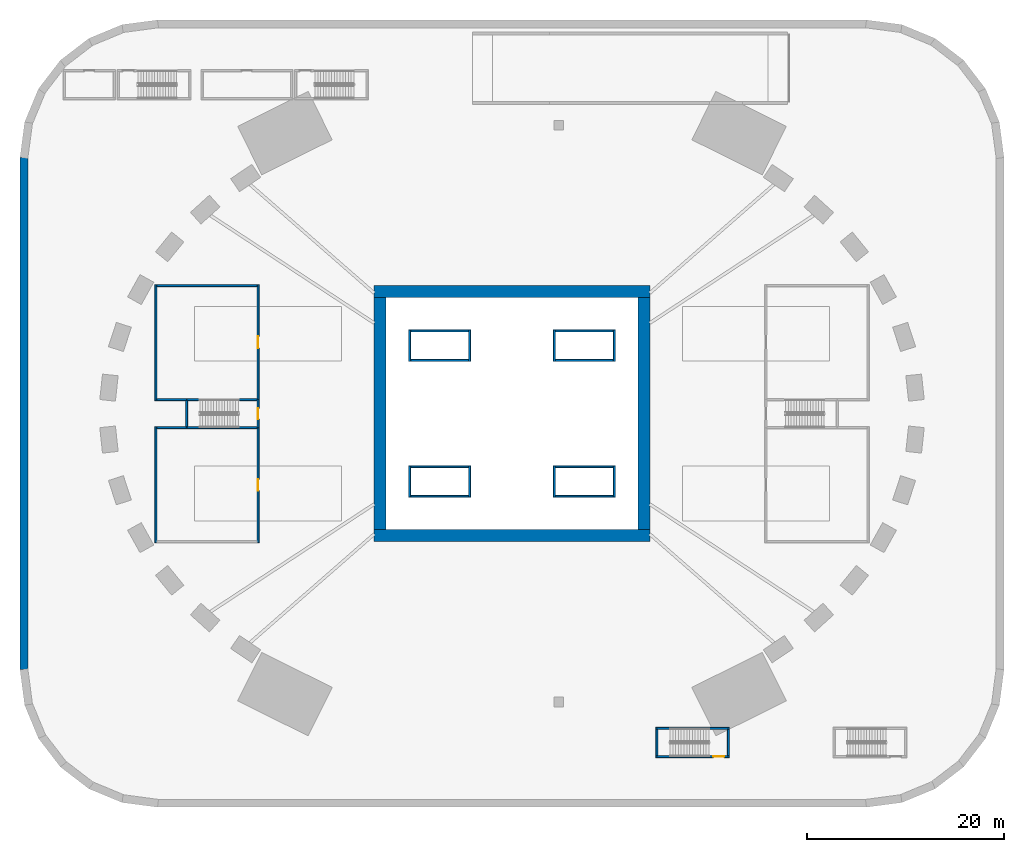
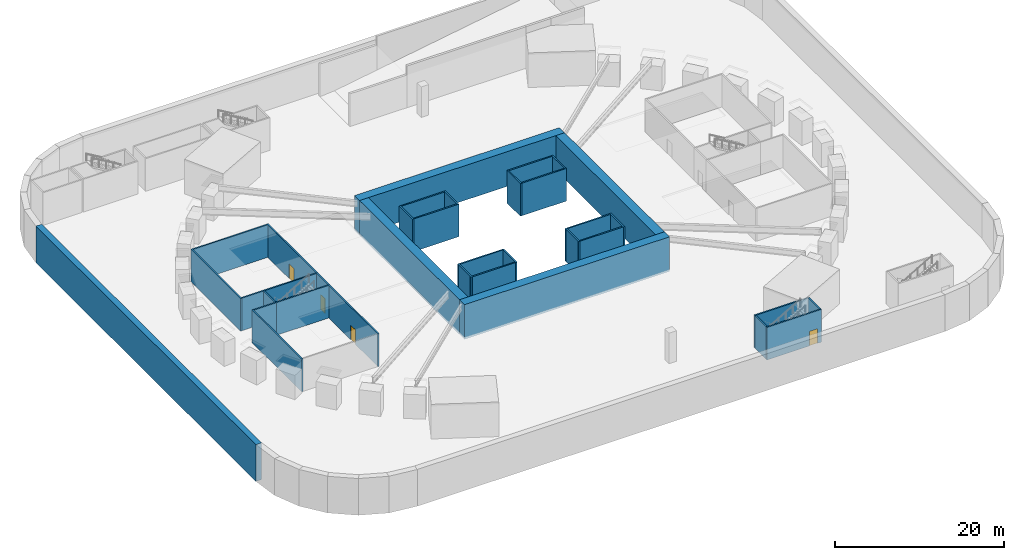
# One storey, part 2 of 10: 36 walls, 4 doors, 4 openings.
"""IFC4 building model written with IfcOpenShell, lengths in metres."""

from ifc_helpers import new_model, si_unit, direction, frame, frame_2d, origin, place, context, subcontext, project, spatial, rectangle, extrude, source, transform, mapped, material, layer, layer_set, type_object, element, fill, save


model = new_model("IFC4")

# Units and contexts
model_context = context("Model", 3, precision=1e-05, world=origin(), true_north=direction((0.0, 1.0)))
body_context = subcontext(model_context, "Body", "Model", "MODEL_VIEW")
ifc_project = project(units=[si_unit("LENGTHUNIT", "METRE"), si_unit("AREAUNIT", "SQUARE_METRE"), si_unit("VOLUMEUNIT", "CUBIC_METRE"), si_unit("PLANEANGLEUNIT", "RADIAN"), si_unit("MASSUNIT", "GRAM", prefix="KILO")], contexts=[model_context])

# Site, building, storey
site_placement = place(None, origin())
site = spatial("IfcSite", under=ifc_project, at=site_placement, CompositionType="ELEMENT")
building_placement = place(site_placement, origin())
building = spatial("IfcBuilding", under=site, at=building_placement, Name="Embergate Tower", CompositionType="ELEMENT")
storey_placement = place(building_placement, frame((0.0, 0.0, -5.0)))
storey = spatial("IfcBuildingStorey", under=building, at=storey_placement, Name="B1", CompositionType="ELEMENT", Elevation=-5.0)

# Walls
ifc_material_1 = material(Name="Concrete C40", Category="concrete")
ifc_layer_1 = layer(ifc_material_1, 0.800048828125)
ifc_layer_set_1 = layer_set([ifc_layer_1], Name="Concrete C40")
wall_type_1 = type_object("IfcWallType", Name="Basement retaining wall C40 800", PredefinedType="SOLIDWALL", material=ifc_layer_set_1)
shared_shape_1 = source(origin(), body_context, "Body", "SweptSolid", [
    extrude(rectangle(XDim=52.0517578125, YDim=0.800048828125, at=frame_2d((26.02587890625, 0.0))), origin(), (0.0, 0.0, 1.0), 5.300048828125),
])
wall_1_placement = place(storey_placement, frame((-49.60009765625, 26.02587890625, -0.300048828125), z_axis=(0.0, 0.0, 1.0), x_axis=(0.0, -1.0, 0.0)))
element("IfcWall", 1, at=wall_1_placement, inside=storey, type_object=wall_type_1, Name="RWL-B1-013", PredefinedType="SOLIDWALL", context=body_context, shape_type="MappedRepresentation", body=[
    mapped(shared_shape_1, transform((0.0, 0.0, 0.0))),
])
ifc_material_2 = material(Name="Concrete C80", Category="concrete")
ifc_layer_2 = layer(ifc_material_2, 1.199951171875)
ifc_layer_set_2 = layer_set([ifc_layer_2], Name="Concrete C80")
wall_type_2 = type_object("IfcWallType", Name="Core outer wall C80 1200", PredefinedType="SHEAR", material=ifc_layer_set_2)
shared_shape_2 = source(origin(), body_context, "Body", "SweptSolid", [
    extrude(rectangle(XDim=28.0, YDim=1.199951171875, at=frame_2d((14.0, 0.0))), origin(), (0.0, 0.0, 1.0), 5.0),
])
for number, where, z_axis, x_axis, name in (
    (2, (-14.0, 12.39990234375, -0.300048828125), (0.0, 0.0, 1.0), (1.0, 0.0, 0.0), "CW-B1-N"),
    (3, (-14.0, -12.39990234375, -0.300048828125), (0.0, 0.0, 1.0), (1.0, 0.0, 0.0), "CW-B1-S"),
):
    element("IfcWall", number, at=place(storey_placement, frame(where, z_axis=z_axis, x_axis=x_axis)), inside=storey, type_object=wall_type_2, Name=name, PredefinedType="SHEAR", context=body_context, shape_type="MappedRepresentation", body=[
        mapped(shared_shape_2, transform((0.0, 0.0, 0.0))),
    ])
shared_shape_3 = source(origin(), body_context, "Body", "SweptSolid", [
    extrude(rectangle(XDim=23.60009765625, YDim=1.199951171875, at=frame_2d((11.800048828125, 0.0))), origin(), (0.0, 0.0, 1.0), 5.0),
])
for number, where, z_axis, x_axis, name in (
    (4, (13.39990234375, -11.800048828125, -0.300048828125), (0.0, 0.0, 1.0), (0.0, 1.0, 0.0), "CW-B1-E"),
    (5, (-13.39990234375, -11.800048828125, -0.300048828125), (0.0, 0.0, 1.0), (0.0, 1.0, 0.0), "CW-B1-W"),
):
    element("IfcWall", number, at=place(storey_placement, frame(where, z_axis=z_axis, x_axis=x_axis)), inside=storey, type_object=wall_type_2, Name=name, PredefinedType="SHEAR", context=body_context, shape_type="MappedRepresentation", body=[
        mapped(shared_shape_3, transform((0.0, 0.0, 0.0))),
    ])
ifc_material_3 = material(Name="Concrete C50", Category="concrete")
ifc_layer_3 = layer(ifc_material_3, 0.199951171875)
ifc_layer_set_3 = layer_set([ifc_layer_3], Name="Concrete C50")
wall_type_3 = type_object("IfcWallType", Name="Stair enclosure wall reinforced concrete 250", PredefinedType="SHEAR", material=ifc_layer_set_3)
shared_shape_4 = source(origin(), body_context, "Body", "SweptSolid", [
    extrude(rectangle(XDim=6.300048828125, YDim=0.199951171875, at=frame_2d((3.14990234375, 0.0))), origin(), (0.0, 0.0, 1.0), 4.699951171875),
])
for number, where, z_axis, x_axis, name in (
    (6, (-4.199951171875, 5.39990234375, 0.0), (0.0, 0.0, 1.0), (-1.0, 0.0, 0.0), "SE-1 wall"),
    (7, (10.5, 5.39990234375, 0.0), (0.0, 0.0, 1.0), (-1.0, 0.0, 0.0), "SE-1 wall"),
    (8, (-10.5, -5.39990234375, 0.0), (0.0, 0.0, 1.0), (1.0, 0.0, 0.0), "SE-1 wall"),
    (9, (4.199951171875, -5.39990234375, 0.0), (0.0, 0.0, 1.0), (1.0, 0.0, 0.0), "SE-1 wall"),
    (10, (-4.199951171875, 8.39990234375, 0.0), (0.0, 0.0, 1.0), (-1.0, 0.0, 0.0), "SE-1 wall"),
    (11, (10.5, 8.39990234375, 0.0), (0.0, 0.0, 1.0), (-1.0, 0.0, 0.0), "SE-1 wall"),
    (12, (-10.5, -8.39990234375, 0.0), (0.0, 0.0, 1.0), (1.0, 0.0, 0.0), "SE-1 wall"),
    (13, (4.199951171875, -8.39990234375, 0.0), (0.0, 0.0, 1.0), (1.0, 0.0, 0.0), "SE-1 wall"),
):
    element("IfcWall", number, at=place(storey_placement, frame(where, z_axis=z_axis, x_axis=x_axis)), inside=storey, type_object=wall_type_3, Name=name, PredefinedType="SHEAR", context=body_context, shape_type="MappedRepresentation", body=[
        mapped(shared_shape_4, transform((0.0, 0.0, 0.0))),
    ])
shared_shape_5 = source(origin(), body_context, "Body", "SweptSolid", [
    extrude(rectangle(XDim=3.199951171875, YDim=0.199951171875, at=frame_2d((1.60009765625, 0.0))), origin(), (0.0, 0.0, 1.0), 4.699951171875),
])
for number, where, z_axis, x_axis, name in (
    (14, (-4.300048828125, 5.300048828125, 0.0), (0.0, 0.0, 1.0), (0.0, 1.0, 0.0), "SE-1 wall"),
    (15, (-10.39990234375, 8.5, 0.0), (0.0, 0.0, 1.0), (0.0, -1.0, 0.0), "SE-1 wall"),
    (16, (4.300048828125, 8.5, 0.0), (0.0, 0.0, 1.0), (0.0, -1.0, 0.0), "SE-1 wall"),
    (17, (10.39990234375, 5.300048828125, 0.0), (0.0, 0.0, 1.0), (0.0, 1.0, 0.0), "SE-1 wall"),
    (18, (-4.300048828125, -8.5, 0.0), (0.0, 0.0, 1.0), (0.0, 1.0, 0.0), "SE-1 wall"),
    (19, (-10.39990234375, -5.300048828125, 0.0), (0.0, 0.0, 1.0), (0.0, -1.0, 0.0), "SE-1 wall"),
    (20, (4.300048828125, -5.300048828125, 0.0), (0.0, 0.0, 1.0), (0.0, -1.0, 0.0), "SE-1 wall"),
    (21, (10.39990234375, -8.5, 0.0), (0.0, 0.0, 1.0), (0.0, 1.0, 0.0), "SE-1 wall"),
):
    element("IfcWall", number, at=place(storey_placement, frame(where, z_axis=z_axis, x_axis=x_axis)), inside=storey, type_object=wall_type_3, Name=name, PredefinedType="SHEAR", context=body_context, shape_type="MappedRepresentation", body=[
        mapped(shared_shape_5, transform((0.0, 0.0, 0.0))),
    ])
ifc_layer_4 = layer(ifc_material_1, 0.199951171875)
ifc_layer_set_4 = layer_set([ifc_layer_4], Name="Concrete C40")
wall_type_4 = type_object("IfcWallType", Name="Stair enclosure wall RC 200", PredefinedType="STANDARD", material=ifc_layer_set_4)
shared_shape_6 = source(origin(), body_context, "Body", "SweptSolid", [
    extrude(rectangle(XDim=2.64990234375, YDim=0.199951171875, at=frame_2d((1.324951171875, 0.0))), origin(), (0.0, 0.0, 1.0), 4.699951171875),
])
for number, where, z_axis, x_axis, name in (
    (22, (-33.070068359375, -1.324951171875, 0.0), (0.0, 0.0, 1.0), (0.0, 1.0, 0.0), "Stair wall 010"),
    (23, (14.72998046875, -34.75, 0.0), (0.0, 0.0, 1.0), (0.0, 1.0, 0.0), "Stair wall 029"),
    (24, (22.0, -32.10009765625, 0.0), (0.0, 0.0, 1.0), (0.0, -1.0, 0.0), "Stair wall 032"),
):
    element("IfcWall", number, at=place(storey_placement, frame(where, z_axis=z_axis, x_axis=x_axis)), inside=storey, type_object=wall_type_4, Name=name, PredefinedType="STANDARD", context=body_context, shape_type="MappedRepresentation", body=[
        mapped(shared_shape_6, transform((0.0, 0.0, 0.0))),
    ])
ifc_material_4 = material(Name="Blockwork, plastered", Category="masonry")
ifc_layer_5 = layer(ifc_material_4, 0.199951171875)
ifc_layer_set_5 = layer_set([ifc_layer_5], Name="Blockwork, plastered")
wall_type_5 = type_object("IfcWallType", Name="Fire partition wall 200 block", PredefinedType="PARTITIONING", material=ifc_layer_set_5)
shared_shape_7 = source(origin(), body_context, "Body", "SweptSolid", [
    extrude(rectangle(XDim=11.775146484375, YDim=0.199951171875, at=frame_2d((5.8876953125, 0.0))), origin(), (0.0, 0.0, 1.0), 4.699951171875),
])
for number, where, z_axis, x_axis, name in (
    (25, (-36.199951171875, -13.10009765625, 0.0), (0.0, 0.0, 1.0), (0.0, 1.0, 0.0), "Partition 006"),
    (26, (-36.199951171875, 1.324951171875, 0.0), (0.0, 0.0, 1.0), (0.0, 1.0, 0.0), "Partition 008"),
):
    element("IfcWall", number, at=place(storey_placement, frame(where, z_axis=z_axis, x_axis=x_axis)), inside=storey, type_object=wall_type_5, Name=name, PredefinedType="PARTITIONING", context=body_context, shape_type="MappedRepresentation", body=[
        mapped(shared_shape_7, transform((0.0, 0.0, 0.0))),
    ])
shared_shape_8 = source(origin(), body_context, "Body", "SweptSolid", [
    extrude(rectangle(XDim=3.030029296875, YDim=0.199951171875, at=frame_2d((1.51513671875, 0.0))), origin(), (0.0, 0.0, 1.0), 4.699951171875),
])
for number, where, z_axis, x_axis, name in (
    (27, (-36.10009765625, -1.425048828125, 0.0), (0.0, 0.0, 1.0), (1.0, 0.0, 0.0), "Partition 007"),
    (28, (-33.070068359375, 1.425048828125, 0.0), (0.0, 0.0, 1.0), (-1.0, 0.0, 0.0), "Partition 012"),
):
    element("IfcWall", number, at=place(storey_placement, frame(where, z_axis=z_axis, x_axis=x_axis)), inside=storey, type_object=wall_type_5, Name=name, PredefinedType="PARTITIONING", context=body_context, shape_type="MappedRepresentation", body=[
        mapped(shared_shape_8, transform((0.0, 0.0, 0.0))),
    ])
shared_shape_9 = source(origin(), body_context, "Body", "SweptSolid", [
    extrude(rectangle(XDim=10.2001953125, YDim=0.199951171875, at=frame_2d((5.10009765625, 0.0))), origin(), (0.0, 0.0, 1.0), 4.699951171875),
])
wall_2_placement = place(storey_placement, frame((-36.10009765625, 13.0, 0.0), z_axis=(0.0, 0.0, 1.0), x_axis=(1.0, 0.0, 0.0)))
element("IfcWall", 29, at=wall_2_placement, inside=storey, type_object=wall_type_5, Name="Partition 009", PredefinedType="PARTITIONING", context=body_context, shape_type="MappedRepresentation", body=[
    mapped(shared_shape_9, transform((0.0, 0.0, 0.0))),
])
shared_shape_10 = source(origin(), body_context, "Body", "SweptSolid", [
    extrude(rectangle(XDim=7.170166015625, YDim=0.199951171875, at=frame_2d((3.5849609375, 0.0))), origin(), (0.0, 0.0, 1.0), 4.699951171875),
])
for number, where, z_axis, x_axis, name in (
    (30, (-33.070068359375, -1.425048828125, 0.0), (0.0, 0.0, 1.0), (1.0, 0.0, 0.0), "Stair wall 011"),
    (31, (-25.89990234375, 1.425048828125, 0.0), (0.0, 0.0, 1.0), (-1.0, 0.0, 0.0), "Stair wall 020"),
):
    element("IfcWall", number, at=place(storey_placement, frame(where, z_axis=z_axis, x_axis=x_axis)), inside=storey, type_object=wall_type_4, Name=name, PredefinedType="STANDARD", context=body_context, shape_type="MappedRepresentation", body=[
        mapped(shared_shape_10, transform((0.0, 0.0, 0.0))),
    ])

# Wall, opening, door
shared_shape_11 = source(origin(), body_context, "Body", "SweptSolid", [
    extrude(rectangle(XDim=7.47021484375, YDim=0.199951171875, at=frame_2d((3.735107421875, 0.0))), origin(), (0.0, 0.0, 1.0), 4.699951171875),
])
wall_3_placement = place(storey_placement, frame((14.6298828125, -34.85009765625, 0.0), z_axis=(0.0, 0.0, 1.0), x_axis=(1.0, 0.0, 0.0)))
wall_3 = element("IfcWall", 32, at=wall_3_placement, inside=storey, type_object=wall_type_4, Name="Stair wall 030", PredefinedType="STANDARD", context=body_context, shape_type="MappedRepresentation", body=[
    mapped(shared_shape_11, transform((0.0, 0.0, 0.0))),
])
shared_shape_12 = source(origin(), body_context, "Body", "SweptSolid", [
    extrude(rectangle(XDim=1.10009765625, YDim=2.10009765625, at=frame_2d((0.550048828125, 1.050048828125))), frame((0.0, 0.10986328125, 0.0), z_axis=(0.0, -1.0, 0.0), x_axis=(1.0, 0.0, 0.0)), (0.0, 0.0, 1.0), 0.219970703125),
])
opening_1_placement = place(wall_3_placement, frame((5.820068359375, 0.0, 0.0)))
opening_1 = element("IfcOpeningElement", 33, at=opening_1_placement, cuts=wall_3, Name="Opening DS-309", PredefinedType="OPENING", context=body_context, shape_type="MappedRepresentation", body=[
    mapped(shared_shape_12, transform((0.0, 0.0, 0.0))),
])
ifc_material_5 = material(Name="Steel fire door leaf", Category="steel")
door_type_1 = type_object("IfcDoorType", Name="Fire door class B 1100x2100", OperationType="SINGLE_SWING_LEFT", PredefinedType="DOOR", material=ifc_material_5)
shared_shape_13 = source(origin(), body_context, "Body", "SweptSolid", [
    extrude(rectangle(XDim=1.10009765625, YDim=2.10009765625, at=frame_2d((0.550048828125, 1.050048828125))), frame((0.0, 0.02490234375, 0.0), z_axis=(0.0, -1.0, 0.0), x_axis=(1.0, 0.0, 0.0)), (0.0, 0.0, 1.0), 0.050048828125),
])
door_1_placement = place(opening_1_placement, origin())
door_1 = element("IfcDoor", 34, at=door_1_placement, inside=storey, type_object=door_type_1, Name="Door to Exit stair enclosure", OperationType="SINGLE_SWING_LEFT", OverallHeight=2.10009765625, OverallWidth=1.10009765625, PredefinedType="DOOR", context=body_context, shape_type="MappedRepresentation", body=[
    mapped(shared_shape_13, transform((0.0, 0.0, 0.0))),
])
fill(opening_1, door_1)

# Wall
wall_4_placement = place(storey_placement, frame((14.6298828125, -32.0, 0.0), z_axis=(0.0, 0.0, 1.0), x_axis=(1.0, 0.0, 0.0)))
element("IfcWall", 35, at=wall_4_placement, inside=storey, type_object=wall_type_4, Name="Stair wall 031", PredefinedType="STANDARD", context=body_context, shape_type="MappedRepresentation", body=[
    mapped(shared_shape_11, transform((0.0, 0.0, 0.0))),
])

# Wall, opening, door
shared_shape_14 = source(origin(), body_context, "Body", "SweptSolid", [
    extrude(rectangle(XDim=11.675048828125, YDim=0.199951171875, at=frame_2d((5.83740234375, 0.0))), origin(), (0.0, 0.0, 1.0), 4.699951171875),
])
wall_5_placement = place(storey_placement, frame((-25.800048828125, -13.10009765625, 0.0), z_axis=(0.0, 0.0, 1.0), x_axis=(0.0, 1.0, 0.0)))
wall_5 = element("IfcWall", 36, at=wall_5_placement, inside=storey, type_object=wall_type_5, Name="Partition 018", PredefinedType="PARTITIONING", context=body_context, shape_type="MappedRepresentation", body=[
    mapped(shared_shape_14, transform((0.0, 0.0, 0.0))),
])
shared_shape_15 = source(origin(), body_context, "Body", "SweptSolid", [
    extrude(rectangle(XDim=1.199951171875, YDim=2.10009765625, at=frame_2d((0.60009765625, 1.050048828125))), frame((0.0, 0.10986328125, 0.0), z_axis=(0.0, -1.0, 0.0), x_axis=(1.0, 0.0, 0.0)), (0.0, 0.0, 1.0), 0.219970703125),
])
opening_2_placement = place(wall_5_placement, frame((5.237060546875, 0.0, 0.0)))
opening_2 = element("IfcOpeningElement", 37, at=opening_2_placement, cuts=wall_5, Name="Opening DS-305", PredefinedType="OPENING", context=body_context, shape_type="MappedRepresentation", body=[
    mapped(shared_shape_15, transform((0.0, 0.0, 0.0))),
])
ifc_material_6 = material(Name="Timber door leaf, steel frame", Category="steel")
door_type_2 = type_object("IfcDoorType", Name="Plant door 1200x2100", OperationType="SINGLE_SWING_LEFT", PredefinedType="DOOR", material=ifc_material_6)
shared_shape_16 = source(origin(), body_context, "Body", "SweptSolid", [
    extrude(rectangle(XDim=1.199951171875, YDim=2.10009765625, at=frame_2d((0.60009765625, 1.050048828125))), frame((0.0, 0.02490234375, 0.0), z_axis=(0.0, -1.0, 0.0), x_axis=(1.0, 0.0, 0.0)), (0.0, 0.0, 1.0), 0.050048828125),
])
door_2_placement = place(opening_2_placement, origin())
door_2 = element("IfcDoor", 38, at=door_2_placement, inside=storey, type_object=door_type_2, Name="Door to Car park control room", OperationType="SINGLE_SWING_LEFT", OverallHeight=2.10009765625, OverallWidth=1.199951171875, PredefinedType="DOOR", context=body_context, shape_type="MappedRepresentation", body=[
    mapped(shared_shape_16, transform((0.0, 0.0, 0.0))),
])
fill(opening_2, door_2)

wall_6_placement = place(storey_placement, frame((-25.800048828125, 1.425048828125, 0.0), z_axis=(0.0, 0.0, 1.0), x_axis=(0.0, 1.0, 0.0)))
wall_6 = element("IfcWall", 39, at=wall_6_placement, inside=storey, type_object=wall_type_5, Name="Partition 021", PredefinedType="PARTITIONING", context=body_context, shape_type="MappedRepresentation", body=[
    mapped(shared_shape_14, transform((0.0, 0.0, 0.0))),
])
opening_3_placement = place(wall_6_placement, frame((5.237060546875, 0.0, 0.0)))
opening_3 = element("IfcOpeningElement", 40, at=opening_3_placement, cuts=wall_6, Name="Opening DS-306", PredefinedType="OPENING", context=body_context, shape_type="MappedRepresentation", body=[
    mapped(shared_shape_15, transform((0.0, 0.0, 0.0))),
])
door_3_placement = place(opening_3_placement, origin())
door_3 = element("IfcDoor", 41, at=door_3_placement, inside=storey, type_object=door_type_2, Name="Door to Electrical switch room", OperationType="SINGLE_SWING_LEFT", OverallHeight=2.10009765625, OverallWidth=1.199951171875, PredefinedType="DOOR", context=body_context, shape_type="MappedRepresentation", body=[
    mapped(shared_shape_16, transform((0.0, 0.0, 0.0))),
])
fill(opening_3, door_3)

shared_shape_17 = source(origin(), body_context, "Body", "SweptSolid", [
    extrude(rectangle(XDim=2.85009765625, YDim=0.199951171875, at=frame_2d((1.425048828125, 0.0))), origin(), (0.0, 0.0, 1.0), 4.699951171875),
])
wall_7_placement = place(storey_placement, frame((-25.800048828125, -1.425048828125, 0.0), z_axis=(0.0, 0.0, 1.0), x_axis=(0.0, 1.0, 0.0)))
wall_7 = element("IfcWall", 42, at=wall_7_placement, inside=storey, type_object=wall_type_4, Name="Stair wall 019", PredefinedType="STANDARD", context=body_context, shape_type="MappedRepresentation", body=[
    mapped(shared_shape_17, transform((0.0, 0.0, 0.0))),
])
opening_4_placement = place(wall_7_placement, frame((0.875, 0.0, 0.0)))
opening_4 = element("IfcOpeningElement", 43, at=opening_4_placement, cuts=wall_7, Name="Opening DS-312", PredefinedType="OPENING", context=body_context, shape_type="MappedRepresentation", body=[
    mapped(shared_shape_12, transform((0.0, 0.0, 0.0))),
])
door_4_placement = place(opening_4_placement, origin())
door_4 = element("IfcDoor", 44, at=door_4_placement, inside=storey, type_object=door_type_1, Name="Door to Exit stair enclosure", OperationType="SINGLE_SWING_LEFT", OverallHeight=2.10009765625, OverallWidth=1.10009765625, PredefinedType="DOOR", context=body_context, shape_type="MappedRepresentation", body=[
    mapped(shared_shape_13, transform((0.0, 0.0, 0.0))),
])
fill(opening_4, door_4)

save(model, "model.ifc")
